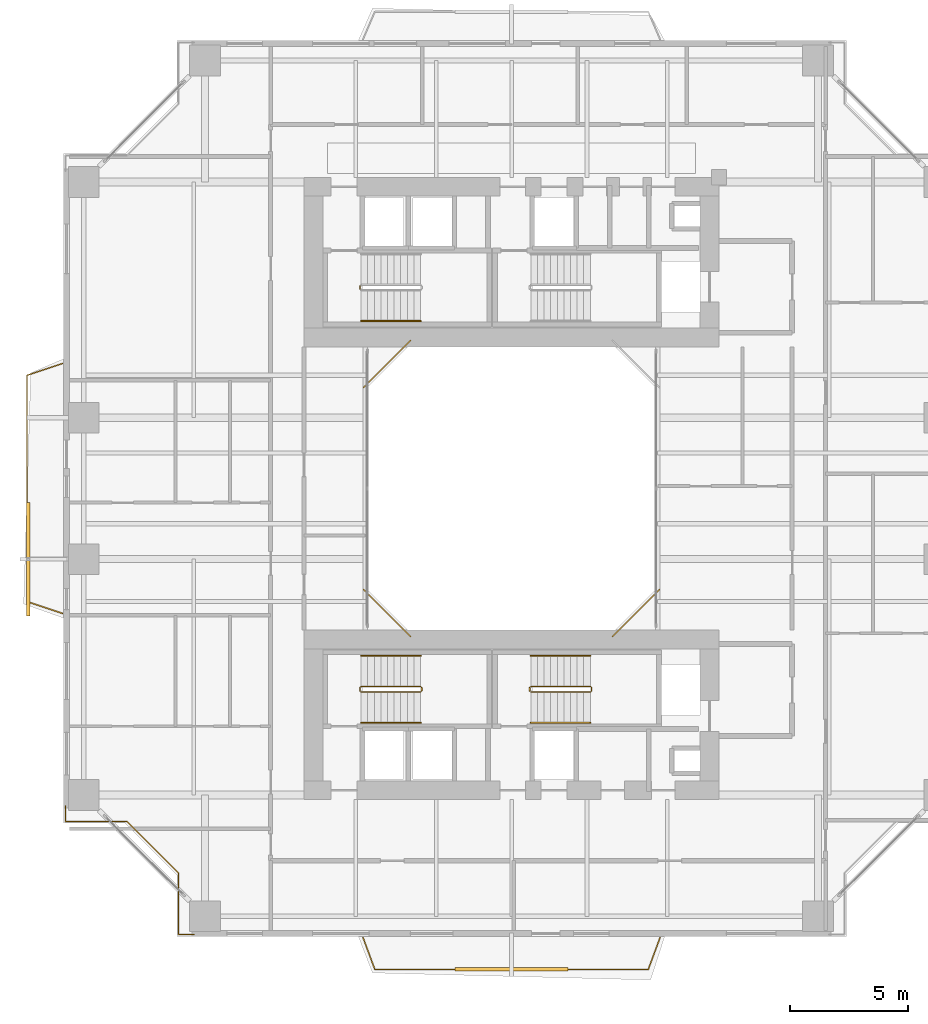
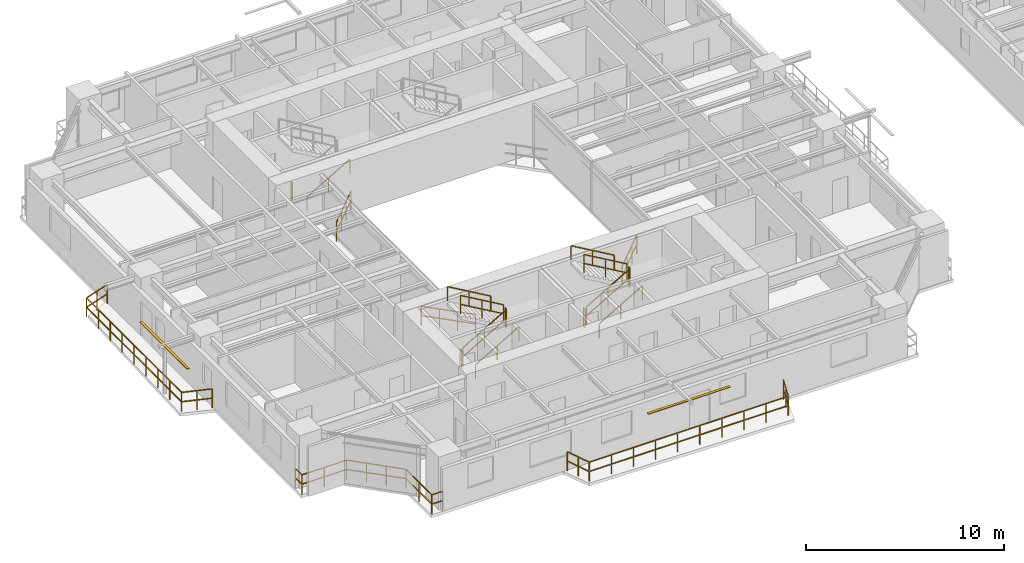
# One storey, part 19 of 24: 20 railings, 2 shading devices.
"""IFC4 building model written with IfcOpenShell, lengths in metres."""

from ifc_helpers import new_model, si_unit, direction, frame, origin, origin_2d, place, context, subcontext, project, spatial, rectangle, extrude, source, transform, mapped, material, material_profile, profile_set, type_object, element, save


model = new_model("IFC4")

# Units and contexts
model_context = context("Model", 3, precision=1e-05, world=origin(), true_north=direction((0.0, 1.0)))
body_context = subcontext(model_context, "Body", "Model", "MODEL_VIEW")
ifc_project = project(units=[si_unit("LENGTHUNIT", "METRE"), si_unit("AREAUNIT", "SQUARE_METRE"), si_unit("VOLUMEUNIT", "CUBIC_METRE"), si_unit("PLANEANGLEUNIT", "RADIAN"), si_unit("MASSUNIT", "GRAM", prefix="KILO"), si_unit("THERMODYNAMICTEMPERATUREUNIT", "KELVIN"), si_unit("POWERUNIT", "WATT")], contexts=[model_context])

# Site, building, storey
site_placement = place(None, origin())
site = spatial("IfcSite", under=ifc_project, at=site_placement, CompositionType="ELEMENT")
building_placement = place(site_placement, origin())
building = spatial("IfcBuilding", under=site, at=building_placement, Name="Qiaomeng Ring Towers", CompositionType="ELEMENT")
storey_placement = place(building_placement, frame((0.0, 0.0, 69.75)))
storey = spatial("IfcBuildingStorey", under=building, at=storey_placement, Name="L19", CompositionType="ELEMENT", Elevation=69.75)

# Railings
ifc_material_1 = material(Name="Low-E pale-green laminated safety glass", Category="glass")
railing_type_1 = type_object("IfcRailingType", Name="ARC-RL-BAL1", PredefinedType="BALUSTRADE", material=ifc_material_1)
railing_1_placement = place(storey_placement, frame((23.280029296875, 16.719970703125, 0.0)))
element("IfcRailing", 1, at=railing_1_placement, inside=storey, type_object=railing_type_1, Name="L19 Balustrade ARC-BAL-WELL1-L19-1", PredefinedType="BALUSTRADE", context=body_context, shape_type="SweptSolid", body=[
    extrude(rectangle(XDim=0.048095703125, YDim=0.048095703125, at=origin_2d()), frame((0.0, 0.0, 1.17578125), z_axis=(0.707106781187, 0.707106781187, 0.0), x_axis=(-0.707106781187, 0.707106781187, 0.0)), (0.0, 0.0, 1.0), 2.828369140625),
    extrude(rectangle(XDim=0.048095703125, YDim=0.048095703125, at=origin_2d()), frame((0.0, 0.0, 0.60009765625), z_axis=(0.707106781187, 0.707106781187, 0.0), x_axis=(-0.707106781187, 0.707106781187, 0.0)), (0.0, 0.0, 1.0), 2.828369140625),
    extrude(rectangle(XDim=0.0419921875, YDim=0.0419921875, at=origin_2d()), origin(), (0.0, 0.0, 1.0), 1.15185546875),
    extrude(rectangle(XDim=0.0419921875, YDim=0.0419921875, at=origin_2d()), frame((0.666748046875, 0.666748046875, 0.0)), (0.0, 0.0, 1.0), 1.15185546875),
    extrude(rectangle(XDim=0.0419921875, YDim=0.0419921875, at=origin_2d()), frame((1.333251953125, 1.333251953125, 0.0)), (0.0, 0.0, 1.0), 1.15185546875),
    extrude(rectangle(XDim=0.0419921875, YDim=0.0419921875, at=origin_2d()), frame((2.0, 2.0, 0.0)), (0.0, 0.0, 1.0), 1.15185546875),
])
railing_2_placement = place(storey_placement, frame((14.719970703125, 29.280029296875, 0.0)))
element("IfcRailing", 2, at=railing_2_placement, inside=storey, type_object=railing_type_1, Name="L19 Balustrade ARC-BAL-WELL1-L19-3", PredefinedType="BALUSTRADE", context=body_context, shape_type="SweptSolid", body=[
    extrude(rectangle(XDim=0.048095703125, YDim=0.048095703125, at=origin_2d()), frame((0.0, 0.0, 1.17578125), z_axis=(-0.707106781187, -0.707106781187, 0.0), x_axis=(0.707106781187, -0.707106781187, 0.0)), (0.0, 0.0, 1.0), 2.828369140625),
    extrude(rectangle(XDim=0.048095703125, YDim=0.048095703125, at=origin_2d()), frame((0.0, 0.0, 0.60009765625), z_axis=(-0.707106781187, -0.707106781187, 0.0), x_axis=(0.707106781187, -0.707106781187, 0.0)), (0.0, 0.0, 1.0), 2.828369140625),
    extrude(rectangle(XDim=0.0419921875, YDim=0.0419921875, at=origin_2d()), origin(), (0.0, 0.0, 1.0), 1.15185546875),
    extrude(rectangle(XDim=0.0419921875, YDim=0.0419921875, at=origin_2d()), frame((-0.666748046875, -0.666748046875, 0.0)), (0.0, 0.0, 1.0), 1.15185546875),
    extrude(rectangle(XDim=0.0419921875, YDim=0.0419921875, at=origin_2d()), frame((-1.333251953125, -1.333251953125, 0.0)), (0.0, 0.0, 1.0), 1.15185546875),
    extrude(rectangle(XDim=0.0419921875, YDim=0.0419921875, at=origin_2d()), frame((-2.0, -2.0, 0.0)), (0.0, 0.0, 1.0), 1.15185546875),
])
railing_3_placement = place(storey_placement, frame((12.719970703125, 18.719970703125, 0.0)))
element("IfcRailing", 3, at=railing_3_placement, inside=storey, type_object=railing_type_1, Name="L19 Balustrade ARC-BAL-WELL1-L19-4", PredefinedType="BALUSTRADE", context=body_context, shape_type="SweptSolid", body=[
    extrude(rectangle(XDim=0.048095703125, YDim=0.048095703125, at=origin_2d()), frame((0.0, 0.0, 1.17578125), z_axis=(0.707106781187, -0.707106781187, 0.0), x_axis=(0.707106781187, 0.707106781187, 0.0)), (0.0, 0.0, 1.0), 2.828369140625),
    extrude(rectangle(XDim=0.048095703125, YDim=0.048095703125, at=origin_2d()), frame((0.0, 0.0, 0.60009765625), z_axis=(0.707106781187, -0.707106781187, 0.0), x_axis=(0.707106781187, 0.707106781187, 0.0)), (0.0, 0.0, 1.0), 2.828369140625),
    extrude(rectangle(XDim=0.0419921875, YDim=0.0419921875, at=origin_2d()), origin(), (0.0, 0.0, 1.0), 1.15185546875),
    extrude(rectangle(XDim=0.0419921875, YDim=0.0419921875, at=origin_2d()), frame((0.666748046875, -0.666748046875, 0.0)), (0.0, 0.0, 1.0), 1.15185546875),
    extrude(rectangle(XDim=0.0419921875, YDim=0.0419921875, at=origin_2d()), frame((1.333251953125, -1.333251953125, 0.0)), (0.0, 0.0, 1.0), 1.15185546875),
    extrude(rectangle(XDim=0.0419921875, YDim=0.0419921875, at=origin_2d()), frame((2.0, -2.0, 0.0)), (0.0, 0.0, 1.0), 1.15185546875),
])
railing_4_placement = place(storey_placement, frame((0.080078125, 9.530029296875, 0.0)))
element("IfcRailing", 4, at=railing_4_placement, inside=storey, type_object=railing_type_1, Name="L19 Balustrade ARC-BAL-NOTCH1-L19-SW", PredefinedType="BALUSTRADE", context=body_context, shape_type="SweptSolid", body=[
    extrude(rectangle(XDim=0.048095703125, YDim=0.048095703125, at=origin_2d()), frame((0.0, 0.0, 1.17578125), z_axis=(0.0, -1.0, 0.0), x_axis=(1.0, 0.0, 0.0)), (0.0, 0.0, 1.0), 0.650146484375),
    extrude(rectangle(XDim=0.048095703125, YDim=0.048095703125, at=origin_2d()), frame((0.0, 0.0, 0.60009765625), z_axis=(0.0, -1.0, 0.0), x_axis=(1.0, 0.0, 0.0)), (0.0, 0.0, 1.0), 0.650146484375),
    extrude(rectangle(XDim=0.048095703125, YDim=0.048095703125, at=origin_2d()), frame((0.0, -0.650146484375, 1.17578125), z_axis=(1.0, 0.0, 0.0), x_axis=(0.0, 1.0, 0.0)), (0.0, 0.0, 1.0), 2.599853515625),
    extrude(rectangle(XDim=0.048095703125, YDim=0.048095703125, at=origin_2d()), frame((0.0, -0.650146484375, 0.60009765625), z_axis=(1.0, 0.0, 0.0), x_axis=(0.0, 1.0, 0.0)), (0.0, 0.0, 1.0), 2.599853515625),
    extrude(rectangle(XDim=0.048095703125, YDim=0.048095703125, at=origin_2d()), frame((2.599853515625, -0.650146484375, 1.17578125), z_axis=(0.707106781187, -0.707106781187, 0.0), x_axis=(0.707106781187, 0.707106781187, 0.0)), (0.0, 0.0, 1.0), 3.111083984375),
    extrude(rectangle(XDim=0.048095703125, YDim=0.048095703125, at=origin_2d()), frame((2.599853515625, -0.650146484375, 0.60009765625), z_axis=(0.707106781187, -0.707106781187, 0.0), x_axis=(0.707106781187, 0.707106781187, 0.0)), (0.0, 0.0, 1.0), 3.111083984375),
    extrude(rectangle(XDim=0.048095703125, YDim=0.048095703125, at=origin_2d()), frame((4.7998046875, -2.85009765625, 1.17578125), z_axis=(0.0, -1.0, 0.0), x_axis=(1.0, 0.0, 0.0)), (0.0, 0.0, 1.0), 2.599853515625),
    extrude(rectangle(XDim=0.048095703125, YDim=0.048095703125, at=origin_2d()), frame((4.7998046875, -2.85009765625, 0.60009765625), z_axis=(0.0, -1.0, 0.0), x_axis=(1.0, 0.0, 0.0)), (0.0, 0.0, 1.0), 2.599853515625),
    extrude(rectangle(XDim=0.048095703125, YDim=0.048095703125, at=origin_2d()), frame((4.7998046875, -5.449951171875, 1.17578125), z_axis=(1.0, 0.0, 0.0), x_axis=(0.0, 1.0, 0.0)), (0.0, 0.0, 1.0), 0.650146484375),
    extrude(rectangle(XDim=0.048095703125, YDim=0.048095703125, at=origin_2d()), frame((4.7998046875, -5.449951171875, 0.60009765625), z_axis=(1.0, 0.0, 0.0), x_axis=(0.0, 1.0, 0.0)), (0.0, 0.0, 1.0), 0.650146484375),
    extrude(rectangle(XDim=0.0419921875, YDim=0.0419921875, at=origin_2d()), origin(), (0.0, 0.0, 1.0), 1.15185546875),
    extrude(rectangle(XDim=0.0419921875, YDim=0.0419921875, at=origin_2d()), frame((0.0, -0.650146484375, 0.0)), (0.0, 0.0, 1.0), 1.15185546875),
    extrude(rectangle(XDim=0.0419921875, YDim=0.0419921875, at=origin_2d()), frame((1.2998046875, -0.650146484375, 0.0)), (0.0, 0.0, 1.0), 1.15185546875),
    extrude(rectangle(XDim=0.0419921875, YDim=0.0419921875, at=origin_2d()), frame((2.599853515625, -0.650146484375, 0.0)), (0.0, 0.0, 1.0), 1.15185546875),
    extrude(rectangle(XDim=0.0419921875, YDim=0.0419921875, at=origin_2d()), frame((3.333251953125, -1.383544921875, 0.0)), (0.0, 0.0, 1.0), 1.15185546875),
    extrude(rectangle(XDim=0.0419921875, YDim=0.0419921875, at=origin_2d()), frame((4.06640625, -2.11669921875, 0.0)), (0.0, 0.0, 1.0), 1.15185546875),
    extrude(rectangle(XDim=0.0419921875, YDim=0.0419921875, at=origin_2d()), frame((4.7998046875, -2.85009765625, 0.0)), (0.0, 0.0, 1.0), 1.15185546875),
    extrude(rectangle(XDim=0.0419921875, YDim=0.0419921875, at=origin_2d()), frame((4.7998046875, -4.14990234375, 0.0)), (0.0, 0.0, 1.0), 1.15185546875),
    extrude(rectangle(XDim=0.0419921875, YDim=0.0419921875, at=origin_2d()), frame((4.7998046875, -5.449951171875, 0.0)), (0.0, 0.0, 1.0), 1.15185546875),
    extrude(rectangle(XDim=0.0419921875, YDim=0.0419921875, at=origin_2d()), frame((5.449951171875, -5.449951171875, 0.0)), (0.0, 0.0, 1.0), 1.15185546875),
])
railing_5_placement = place(storey_placement, frame((12.699951171875, 3.949951171875, 0.0)))
element("IfcRailing", 5, at=railing_5_placement, inside=storey, type_object=railing_type_1, Name="L19 Balustrade ARC-BAL-L19-T1-S", PredefinedType="BALUSTRADE", context=body_context, shape_type="SweptSolid", body=[
    extrude(rectangle(XDim=0.048095703125, YDim=0.048095703125, at=origin_2d()), frame((0.0, 0.0, 1.17578125), z_axis=(0.347347498827, -0.937736484871, 0.0), x_axis=(0.937736484871, 0.347347498827, 0.0)), (0.0, 0.0, 1.0), 1.439453125),
    extrude(rectangle(XDim=0.048095703125, YDim=0.048095703125, at=origin_2d()), frame((0.0, 0.0, 0.60009765625), z_axis=(0.347347498827, -0.937736484871, 0.0), x_axis=(0.937736484871, 0.347347498827, 0.0)), (0.0, 0.0, 1.0), 1.439453125),
    extrude(rectangle(XDim=0.048095703125, YDim=0.048095703125, at=origin_2d()), frame((0.5, -1.349853515625, 1.17578125), z_axis=(1.0, 0.0, 0.0), x_axis=(0.0, 1.0, 0.0)), (0.0, 0.0, 1.0), 11.60009765625),
    extrude(rectangle(XDim=0.048095703125, YDim=0.048095703125, at=origin_2d()), frame((0.5, -1.349853515625, 0.60009765625), z_axis=(1.0, 0.0, 0.0), x_axis=(0.0, 1.0, 0.0)), (0.0, 0.0, 1.0), 11.60009765625),
    extrude(rectangle(XDim=0.048095703125, YDim=0.048095703125, at=origin_2d()), frame((12.10009765625, -1.349853515625, 1.17578125), z_axis=(0.347347498827, 0.937736484871, 0.0), x_axis=(-0.937736484871, 0.347347498827, 0.0)), (0.0, 0.0, 1.0), 1.439453125),
    extrude(rectangle(XDim=0.048095703125, YDim=0.048095703125, at=origin_2d()), frame((12.10009765625, -1.349853515625, 0.60009765625), z_axis=(0.347347498827, 0.937736484871, 0.0), x_axis=(-0.937736484871, 0.347347498827, 0.0)), (0.0, 0.0, 1.0), 1.439453125),
    extrude(rectangle(XDim=0.0419921875, YDim=0.0419921875, at=origin_2d()), origin(), (0.0, 0.0, 1.0), 1.15185546875),
    extrude(rectangle(XDim=0.0419921875, YDim=0.0419921875, at=origin_2d()), frame((0.25, -0.6748046875, 0.0)), (0.0, 0.0, 1.0), 1.15185546875),
    extrude(rectangle(XDim=0.0419921875, YDim=0.0419921875, at=origin_2d()), frame((0.5, -1.349853515625, 0.0)), (0.0, 0.0, 1.0), 1.15185546875),
    extrude(rectangle(XDim=0.0419921875, YDim=0.0419921875, at=origin_2d()), frame((1.788818359375, -1.349853515625, 0.0)), (0.0, 0.0, 1.0), 1.15185546875),
    extrude(rectangle(XDim=0.0419921875, YDim=0.0419921875, at=origin_2d()), frame((3.077880859375, -1.349853515625, 0.0)), (0.0, 0.0, 1.0), 1.15185546875),
    extrude(rectangle(XDim=0.0419921875, YDim=0.0419921875, at=origin_2d()), frame((4.36669921875, -1.349853515625, 0.0)), (0.0, 0.0, 1.0), 1.15185546875),
    extrude(rectangle(XDim=0.0419921875, YDim=0.0419921875, at=origin_2d()), frame((5.655517578125, -1.349853515625, 0.0)), (0.0, 0.0, 1.0), 1.15185546875),
    extrude(rectangle(XDim=0.0419921875, YDim=0.0419921875, at=origin_2d()), frame((6.944580078125, -1.349853515625, 0.0)), (0.0, 0.0, 1.0), 1.15185546875),
    extrude(rectangle(XDim=0.0419921875, YDim=0.0419921875, at=origin_2d()), frame((8.2333984375, -1.349853515625, 0.0)), (0.0, 0.0, 1.0), 1.15185546875),
    extrude(rectangle(XDim=0.0419921875, YDim=0.0419921875, at=origin_2d()), frame((9.522216796875, -1.349853515625, 0.0)), (0.0, 0.0, 1.0), 1.15185546875),
    extrude(rectangle(XDim=0.0419921875, YDim=0.0419921875, at=origin_2d()), frame((10.811279296875, -1.349853515625, 0.0)), (0.0, 0.0, 1.0), 1.15185546875),
    extrude(rectangle(XDim=0.0419921875, YDim=0.0419921875, at=origin_2d()), frame((12.10009765625, -1.349853515625, 0.0)), (0.0, 0.0, 1.0), 1.15185546875),
    extrude(rectangle(XDim=0.0419921875, YDim=0.0419921875, at=origin_2d()), frame((12.35009765625, -0.6748046875, 0.0)), (0.0, 0.0, 1.0), 1.15185546875),
    extrude(rectangle(XDim=0.0419921875, YDim=0.0419921875, at=origin_2d()), frame((12.60009765625, 0.0, 0.0)), (0.0, 0.0, 1.0), 1.15185546875),
])
railing_6_placement = place(storey_placement, frame((-0.050048828125, 17.699951171875, 0.0)))
element("IfcRailing", 6, at=railing_6_placement, inside=storey, type_object=railing_type_1, Name="L19 Balustrade ARC-BAL-L19-T1-W", PredefinedType="BALUSTRADE", context=body_context, shape_type="SweptSolid", body=[
    extrude(rectangle(XDim=0.048095703125, YDim=0.048095703125, at=origin_2d()), frame((0.0, 0.0, 1.17578125), z_axis=(-0.948683298051, 0.316227766017, 0.0), x_axis=(-0.316227766017, -0.948683298051, 0.0)), (0.0, 0.0, 1.0), 1.5810546875),
    extrude(rectangle(XDim=0.048095703125, YDim=0.048095703125, at=origin_2d()), frame((0.0, 0.0, 0.60009765625), z_axis=(-0.948683298051, 0.316227766017, 0.0), x_axis=(-0.316227766017, -0.948683298051, 0.0)), (0.0, 0.0, 1.0), 1.5810546875),
    extrude(rectangle(XDim=0.048095703125, YDim=0.048095703125, at=origin_2d()), frame((-1.5, 0.5, 1.17578125), z_axis=(0.0, 1.0, 0.0), x_axis=(-1.0, 0.0, 0.0)), (0.0, 0.0, 1.0), 9.60009765625),
    extrude(rectangle(XDim=0.048095703125, YDim=0.048095703125, at=origin_2d()), frame((-1.5, 0.5, 0.60009765625), z_axis=(0.0, 1.0, 0.0), x_axis=(-1.0, 0.0, 0.0)), (0.0, 0.0, 1.0), 9.60009765625),
    extrude(rectangle(XDim=0.048095703125, YDim=0.048095703125, at=origin_2d()), frame((-1.5, 10.10009765625, 1.17578125), z_axis=(0.948683298051, 0.316227766017, 0.0), x_axis=(-0.316227766017, 0.948683298051, 0.0)), (0.0, 0.0, 1.0), 1.5810546875),
    extrude(rectangle(XDim=0.048095703125, YDim=0.048095703125, at=origin_2d()), frame((-1.5, 10.10009765625, 0.60009765625), z_axis=(0.948683298051, 0.316227766017, 0.0), x_axis=(-0.316227766017, 0.948683298051, 0.0)), (0.0, 0.0, 1.0), 1.5810546875),
    extrude(rectangle(XDim=0.0419921875, YDim=0.0419921875, at=origin_2d()), origin(), (0.0, 0.0, 1.0), 1.15185546875),
    extrude(rectangle(XDim=0.0419921875, YDim=0.0419921875, at=origin_2d()), frame((-0.75, 0.25, 0.0)), (0.0, 0.0, 1.0), 1.15185546875),
    extrude(rectangle(XDim=0.0419921875, YDim=0.0419921875, at=origin_2d()), frame((-1.5, 0.5, 0.0)), (0.0, 0.0, 1.0), 1.15185546875),
    extrude(rectangle(XDim=0.0419921875, YDim=0.0419921875, at=origin_2d()), frame((-1.5, 1.699951171875, 0.0)), (0.0, 0.0, 1.0), 1.15185546875),
    extrude(rectangle(XDim=0.0419921875, YDim=0.0419921875, at=origin_2d()), frame((-1.5, 2.89990234375, 0.0)), (0.0, 0.0, 1.0), 1.15185546875),
    extrude(rectangle(XDim=0.0419921875, YDim=0.0419921875, at=origin_2d()), frame((-1.5, 4.10009765625, 0.0)), (0.0, 0.0, 1.0), 1.15185546875),
    extrude(rectangle(XDim=0.0419921875, YDim=0.0419921875, at=origin_2d()), frame((-1.5, 5.300048828125, 0.0)), (0.0, 0.0, 1.0), 1.15185546875),
    extrude(rectangle(XDim=0.0419921875, YDim=0.0419921875, at=origin_2d()), frame((-1.5, 6.5, 0.0)), (0.0, 0.0, 1.0), 1.15185546875),
    extrude(rectangle(XDim=0.0419921875, YDim=0.0419921875, at=origin_2d()), frame((-1.5, 7.7001953125, 0.0)), (0.0, 0.0, 1.0), 1.15185546875),
    extrude(rectangle(XDim=0.0419921875, YDim=0.0419921875, at=origin_2d()), frame((-1.5, 8.900146484375, 0.0)), (0.0, 0.0, 1.0), 1.15185546875),
    extrude(rectangle(XDim=0.0419921875, YDim=0.0419921875, at=origin_2d()), frame((-1.5, 10.10009765625, 0.0)), (0.0, 0.0, 1.0), 1.15185546875),
    extrude(rectangle(XDim=0.0419921875, YDim=0.0419921875, at=origin_2d()), frame((-0.75, 10.35009765625, 0.0)), (0.0, 0.0, 1.0), 1.15185546875),
    extrude(rectangle(XDim=0.0419921875, YDim=0.0419921875, at=origin_2d()), frame((0.0, 10.60009765625, 0.0)), (0.0, 0.0, 1.0), 1.15185546875),
])
ifc_material_2 = material(Name="Galvanised steel", Category="steel")
railing_type_2 = type_object("IfcRailingType", Name="ARC-RL-GUARD", PredefinedType="GUARDRAIL", material=ifc_material_2)
railing_7_placement = place(storey_placement, frame((12.570068359375, 31.449951171875, 0.0)))
element("IfcRailing", 7, at=railing_7_placement, inside=storey, type_object=railing_type_2, Name="L19 ST1 stair guard 4", PredefinedType="GUARDRAIL", context=body_context, shape_type="SweptSolid", body=[
    extrude(rectangle(XDim=0.048095703125, YDim=0.048095703125, at=origin_2d()), frame((0.0, 0.0, 1.1259765625), z_axis=(0.0, 1.0, 0.0), x_axis=(-1.0, 0.0, 0.0)), (0.0, 0.0, 1.0), 0.14013671875),
    extrude(rectangle(XDim=0.048095703125, YDim=0.048095703125, at=origin_2d()), frame((0.0, 0.0, 0.574951171875), z_axis=(0.0, 1.0, 0.0), x_axis=(-1.0, 0.0, 0.0)), (0.0, 0.0, 1.0), 0.14013671875),
    extrude(rectangle(XDim=0.0419921875, YDim=0.0419921875, at=origin_2d()), origin(), (0.0, 0.0, 1.0), 1.101806640625),
    extrude(rectangle(XDim=0.0419921875, YDim=0.0419921875, at=origin_2d()), frame((0.0, 0.14013671875, 0.0)), (0.0, 0.0, 1.0), 1.101806640625),
])
railing_8_placement = place(storey_placement, frame((12.6201171875, 14.360107421875, 0.16259765625)))
element("IfcRailing", 8, at=railing_8_placement, inside=storey, type_object=railing_type_2, Name="L19 ST3 stair guard 1", PredefinedType="GUARDRAIL", context=body_context, shape_type="SweptSolid", body=[
    extrude(rectangle(XDim=0.048095703125, YDim=0.048095703125, at=origin_2d()), frame((0.0, 0.0, 1.1259765625), z_axis=(0.864892226395, 0.0, 0.501957604506), x_axis=(0.0, 1.0, 0.0)), (0.0, 0.0, 1.0), 2.913330078125),
    extrude(rectangle(XDim=0.048095703125, YDim=0.048095703125, at=origin_2d()), frame((0.0, 0.0, 0.574951171875), z_axis=(0.864892226395, 0.0, 0.501957604506), x_axis=(0.0, 1.0, 0.0)), (0.0, 0.0, 1.0), 2.913330078125),
    extrude(rectangle(XDim=0.0419921875, YDim=0.0419921875, at=origin_2d()), origin(), (0.0, 0.0, 1.0), 1.101806640625),
    extrude(rectangle(XDim=0.0419921875, YDim=0.0419921875, at=origin_2d()), frame((1.259765625, 0.0, 0.731201171875)), (0.0, 0.0, 1.0), 1.101806640625),
    extrude(rectangle(XDim=0.0419921875, YDim=0.0419921875, at=origin_2d()), frame((2.519775390625, 0.0, 1.46240234375)), (0.0, 0.0, 1.0), 1.101806640625),
])
railing_9_placement = place(storey_placement, frame((15.18994140625, 14.409912109375, 1.625)))
element("IfcRailing", 9, at=railing_9_placement, inside=storey, type_object=railing_type_2, Name="L19 ST3 stair guard 2", PredefinedType="GUARDRAIL", context=body_context, shape_type="SweptSolid", body=[
    extrude(rectangle(XDim=0.048095703125, YDim=0.048095703125, at=origin_2d()), frame((0.0, 0.0, 1.1259765625), z_axis=(0.0, 1.0, 0.0), x_axis=(-1.0, 0.0, 0.0)), (0.0, 0.0, 1.0), 0.14013671875),
    extrude(rectangle(XDim=0.048095703125, YDim=0.048095703125, at=origin_2d()), frame((0.0, 0.0, 0.574951171875), z_axis=(0.0, 1.0, 0.0), x_axis=(-1.0, 0.0, 0.0)), (0.0, 0.0, 1.0), 0.14013671875),
    extrude(rectangle(XDim=0.0419921875, YDim=0.0419921875, at=origin_2d()), origin(), (0.0, 0.0, 1.0), 1.101806640625),
    extrude(rectangle(XDim=0.0419921875, YDim=0.0419921875, at=origin_2d()), frame((0.0, 0.14013671875, 0.0)), (0.0, 0.0, 1.0), 1.101806640625),
])
railing_10_placement = place(storey_placement, frame((15.139892578125, 14.60009765625, 1.78759765625)))
element("IfcRailing", 10, at=railing_10_placement, inside=storey, type_object=railing_type_2, Name="L19 ST3 stair guard 3", PredefinedType="GUARDRAIL", context=body_context, shape_type="SweptSolid", body=[
    extrude(rectangle(XDim=0.048095703125, YDim=0.048095703125, at=origin_2d()), frame((0.0, 0.0, 1.1259765625), z_axis=(-0.864892226395, 0.0, 0.501957604506), x_axis=(0.0, -1.0, 0.0)), (0.0, 0.0, 1.0), 2.913330078125),
    extrude(rectangle(XDim=0.048095703125, YDim=0.048095703125, at=origin_2d()), frame((0.0, 0.0, 0.574951171875), z_axis=(-0.864892226395, 0.0, 0.501957604506), x_axis=(0.0, -1.0, 0.0)), (0.0, 0.0, 1.0), 2.913330078125),
    extrude(rectangle(XDim=0.0419921875, YDim=0.0419921875, at=origin_2d()), origin(), (0.0, 0.0, 1.0), 1.101806640625),
    extrude(rectangle(XDim=0.0419921875, YDim=0.0419921875, at=origin_2d()), frame((-1.259765625, 0.0, 0.731201171875)), (0.0, 0.0, 1.0), 1.101806640625),
    extrude(rectangle(XDim=0.0419921875, YDim=0.0419921875, at=origin_2d()), frame((-2.519775390625, 0.0, 1.46240234375)), (0.0, 0.0, 1.0), 1.101806640625),
])
railing_11_placement = place(storey_placement, frame((12.570068359375, 14.409912109375, 0.0)))
element("IfcRailing", 11, at=railing_11_placement, inside=storey, type_object=railing_type_2, Name="L19 ST3 stair guard 4", PredefinedType="GUARDRAIL", context=body_context, shape_type="SweptSolid", body=[
    extrude(rectangle(XDim=0.048095703125, YDim=0.048095703125, at=origin_2d()), frame((0.0, 0.0, 1.1259765625), z_axis=(0.0, 1.0, 0.0), x_axis=(-1.0, 0.0, 0.0)), (0.0, 0.0, 1.0), 0.14013671875),
    extrude(rectangle(XDim=0.048095703125, YDim=0.048095703125, at=origin_2d()), frame((0.0, 0.0, 0.574951171875), z_axis=(0.0, 1.0, 0.0), x_axis=(-1.0, 0.0, 0.0)), (0.0, 0.0, 1.0), 0.14013671875),
    extrude(rectangle(XDim=0.0419921875, YDim=0.0419921875, at=origin_2d()), origin(), (0.0, 0.0, 1.0), 1.101806640625),
    extrude(rectangle(XDim=0.0419921875, YDim=0.0419921875, at=origin_2d()), frame((0.0, 0.14013671875, 0.0)), (0.0, 0.0, 1.0), 1.101806640625),
])
railing_12_placement = place(storey_placement, frame((19.820068359375, 14.360107421875, 0.16259765625)))
element("IfcRailing", 12, at=railing_12_placement, inside=storey, type_object=railing_type_2, Name="L19 ST4 stair guard 1", PredefinedType="GUARDRAIL", context=body_context, shape_type="SweptSolid", body=[
    extrude(rectangle(XDim=0.048095703125, YDim=0.048095703125, at=origin_2d()), frame((0.0, 0.0, 1.1259765625), z_axis=(0.864913338283, 0.0, 0.50192122615), x_axis=(0.0, 1.0, 0.0)), (0.0, 0.0, 1.0), 2.91357421875),
    extrude(rectangle(XDim=0.048095703125, YDim=0.048095703125, at=origin_2d()), frame((0.0, 0.0, 0.574951171875), z_axis=(0.864913338283, 0.0, 0.50192122615), x_axis=(0.0, 1.0, 0.0)), (0.0, 0.0, 1.0), 2.91357421875),
    extrude(rectangle(XDim=0.0419921875, YDim=0.0419921875, at=origin_2d()), origin(), (0.0, 0.0, 1.0), 1.101806640625),
    extrude(rectangle(XDim=0.0419921875, YDim=0.0419921875, at=origin_2d()), frame((1.260009765625, 0.0, 0.731201171875)), (0.0, 0.0, 1.0), 1.101806640625),
    extrude(rectangle(XDim=0.0419921875, YDim=0.0419921875, at=origin_2d()), frame((2.52001953125, 0.0, 1.46240234375)), (0.0, 0.0, 1.0), 1.101806640625),
])
railing_13_placement = place(storey_placement, frame((22.389892578125, 14.409912109375, 1.625)))
element("IfcRailing", 13, at=railing_13_placement, inside=storey, type_object=railing_type_2, Name="L19 ST4 stair guard 2", PredefinedType="GUARDRAIL", context=body_context, shape_type="SweptSolid", body=[
    extrude(rectangle(XDim=0.048095703125, YDim=0.048095703125, at=origin_2d()), frame((0.0, 0.0, 1.1259765625), z_axis=(0.0, 1.0, 0.0), x_axis=(-1.0, 0.0, 0.0)), (0.0, 0.0, 1.0), 0.14013671875),
    extrude(rectangle(XDim=0.048095703125, YDim=0.048095703125, at=origin_2d()), frame((0.0, 0.0, 0.574951171875), z_axis=(0.0, 1.0, 0.0), x_axis=(-1.0, 0.0, 0.0)), (0.0, 0.0, 1.0), 0.14013671875),
    extrude(rectangle(XDim=0.0419921875, YDim=0.0419921875, at=origin_2d()), origin(), (0.0, 0.0, 1.0), 1.101806640625),
    extrude(rectangle(XDim=0.0419921875, YDim=0.0419921875, at=origin_2d()), frame((0.0, 0.14013671875, 0.0)), (0.0, 0.0, 1.0), 1.101806640625),
])
railing_14_placement = place(storey_placement, frame((22.340087890625, 14.60009765625, 1.78759765625)))
element("IfcRailing", 14, at=railing_14_placement, inside=storey, type_object=railing_type_2, Name="L19 ST4 stair guard 3", PredefinedType="GUARDRAIL", context=body_context, shape_type="SweptSolid", body=[
    extrude(rectangle(XDim=0.048095703125, YDim=0.048095703125, at=origin_2d()), frame((0.0, 0.0, 1.1259765625), z_axis=(-0.864913338283, 0.0, 0.50192122615), x_axis=(0.0, -1.0, 0.0)), (0.0, 0.0, 1.0), 2.91357421875),
    extrude(rectangle(XDim=0.048095703125, YDim=0.048095703125, at=origin_2d()), frame((0.0, 0.0, 0.574951171875), z_axis=(-0.864913338283, 0.0, 0.50192122615), x_axis=(0.0, -1.0, 0.0)), (0.0, 0.0, 1.0), 2.91357421875),
    extrude(rectangle(XDim=0.0419921875, YDim=0.0419921875, at=origin_2d()), origin(), (0.0, 0.0, 1.0), 1.101806640625),
    extrude(rectangle(XDim=0.0419921875, YDim=0.0419921875, at=origin_2d()), frame((-1.260009765625, 0.0, 0.731201171875)), (0.0, 0.0, 1.0), 1.101806640625),
    extrude(rectangle(XDim=0.0419921875, YDim=0.0419921875, at=origin_2d()), frame((-2.52001953125, 0.0, 1.46240234375)), (0.0, 0.0, 1.0), 1.101806640625),
])
railing_15_placement = place(storey_placement, frame((19.77001953125, 14.409912109375, 0.0)))
element("IfcRailing", 15, at=railing_15_placement, inside=storey, type_object=railing_type_2, Name="L19 ST4 stair guard 4", PredefinedType="GUARDRAIL", context=body_context, shape_type="SweptSolid", body=[
    extrude(rectangle(XDim=0.048095703125, YDim=0.048095703125, at=origin_2d()), frame((0.0, 0.0, 1.1259765625), z_axis=(0.0, 1.0, 0.0), x_axis=(-1.0, 0.0, 0.0)), (0.0, 0.0, 1.0), 0.14013671875),
    extrude(rectangle(XDim=0.048095703125, YDim=0.048095703125, at=origin_2d()), frame((0.0, 0.0, 0.574951171875), z_axis=(0.0, 1.0, 0.0), x_axis=(-1.0, 0.0, 0.0)), (0.0, 0.0, 1.0), 0.14013671875),
    extrude(rectangle(XDim=0.0419921875, YDim=0.0419921875, at=origin_2d()), origin(), (0.0, 0.0, 1.0), 1.101806640625),
    extrude(rectangle(XDim=0.0419921875, YDim=0.0419921875, at=origin_2d()), frame((0.0, 0.14013671875, 0.0)), (0.0, 0.0, 1.0), 1.101806640625),
])
ifc_material_3 = material(Name="Stainless steel 316", Category="steel")
railing_type_3 = type_object("IfcRailingType", Name="ARC-RL-HAND", PredefinedType="HANDRAIL", material=ifc_material_3)
for number, where, name in (
    (16, (12.6201171875, 30.10009765625, 0.16259765625), "L19 ST1 stair handrail 1"),
    (17, (12.6201171875, 13.06005859375, 0.16259765625), "L19 ST3 stair handrail 1"),
):
    element("IfcRailing", number, at=place(storey_placement, frame(where)), inside=storey, type_object=railing_type_3, Name=name, PredefinedType="HANDRAIL", context=body_context, shape_type="SweptSolid", body=[
        extrude(rectangle(XDim=0.048095703125, YDim=0.048095703125, at=origin_2d()), frame((0.0, 0.0, 0.8759765625), z_axis=(0.864892226395, 0.0, 0.501957604506), x_axis=(0.0, 1.0, 0.0)), (0.0, 0.0, 1.0), 2.913330078125),
        extrude(rectangle(XDim=0.0419921875, YDim=0.0419921875, at=origin_2d()), origin(), (0.0, 0.0, 1.0), 0.851806640625),
        extrude(rectangle(XDim=0.0419921875, YDim=0.0419921875, at=origin_2d()), frame((1.259765625, 0.0, 0.731201171875)), (0.0, 0.0, 1.0), 0.851806640625),
        extrude(rectangle(XDim=0.0419921875, YDim=0.0419921875, at=origin_2d()), frame((2.519775390625, 0.0, 1.46240234375)), (0.0, 0.0, 1.0), 0.851806640625),
    ])
railing_16_placement = place(storey_placement, frame((15.139892578125, 15.89990234375, 1.78759765625)))
element("IfcRailing", 18, at=railing_16_placement, inside=storey, type_object=railing_type_3, Name="L19 ST3 stair handrail 2", PredefinedType="HANDRAIL", context=body_context, shape_type="SweptSolid", body=[
    extrude(rectangle(XDim=0.048095703125, YDim=0.048095703125, at=origin_2d()), frame((0.0, 0.0, 0.8759765625), z_axis=(-0.864892226395, 0.0, 0.501957604506), x_axis=(0.0, -1.0, 0.0)), (0.0, 0.0, 1.0), 2.913330078125),
    extrude(rectangle(XDim=0.0419921875, YDim=0.0419921875, at=origin_2d()), origin(), (0.0, 0.0, 1.0), 0.851806640625),
    extrude(rectangle(XDim=0.0419921875, YDim=0.0419921875, at=origin_2d()), frame((-1.259765625, 0.0, 0.731201171875)), (0.0, 0.0, 1.0), 0.851806640625),
    extrude(rectangle(XDim=0.0419921875, YDim=0.0419921875, at=origin_2d()), frame((-2.519775390625, 0.0, 1.46240234375)), (0.0, 0.0, 1.0), 0.851806640625),
])
railing_17_placement = place(storey_placement, frame((19.820068359375, 13.06005859375, 0.16259765625)))
element("IfcRailing", 19, at=railing_17_placement, inside=storey, type_object=railing_type_3, Name="L19 ST4 stair handrail 1", PredefinedType="HANDRAIL", context=body_context, shape_type="SweptSolid", body=[
    extrude(rectangle(XDim=0.048095703125, YDim=0.048095703125, at=origin_2d()), frame((0.0, 0.0, 0.8759765625), z_axis=(0.864913338283, 0.0, 0.50192122615), x_axis=(0.0, 1.0, 0.0)), (0.0, 0.0, 1.0), 2.91357421875),
    extrude(rectangle(XDim=0.0419921875, YDim=0.0419921875, at=origin_2d()), origin(), (0.0, 0.0, 1.0), 0.851806640625),
    extrude(rectangle(XDim=0.0419921875, YDim=0.0419921875, at=origin_2d()), frame((1.260009765625, 0.0, 0.731201171875)), (0.0, 0.0, 1.0), 0.851806640625),
    extrude(rectangle(XDim=0.0419921875, YDim=0.0419921875, at=origin_2d()), frame((2.52001953125, 0.0, 1.46240234375)), (0.0, 0.0, 1.0), 0.851806640625),
])
railing_18_placement = place(storey_placement, frame((22.340087890625, 15.89990234375, 1.78759765625)))
element("IfcRailing", 20, at=railing_18_placement, inside=storey, type_object=railing_type_3, Name="L19 ST4 stair handrail 2", PredefinedType="HANDRAIL", context=body_context, shape_type="SweptSolid", body=[
    extrude(rectangle(XDim=0.048095703125, YDim=0.048095703125, at=origin_2d()), frame((0.0, 0.0, 0.8759765625), z_axis=(-0.864913338283, 0.0, 0.50192122615), x_axis=(0.0, -1.0, 0.0)), (0.0, 0.0, 1.0), 2.91357421875),
    extrude(rectangle(XDim=0.0419921875, YDim=0.0419921875, at=origin_2d()), origin(), (0.0, 0.0, 1.0), 0.851806640625),
    extrude(rectangle(XDim=0.0419921875, YDim=0.0419921875, at=origin_2d()), frame((-1.260009765625, 0.0, 0.731201171875)), (0.0, 0.0, 1.0), 0.851806640625),
    extrude(rectangle(XDim=0.0419921875, YDim=0.0419921875, at=origin_2d()), frame((-2.52001953125, 0.0, 1.46240234375)), (0.0, 0.0, 1.0), 0.851806640625),
])

# Shading devices
ifc_material_4 = material(Name="Fluorocarbon dark-grey aluminium", Category="aluminium")
ifc_material_profile = material_profile(ifc_material_4, rectangle(XDim=0.14990234375, YDim=0.034912109375, at=origin_2d()), Name="LV BLADE 150x35")
ifc_profile_set = profile_set([ifc_material_profile], Name="Fluorocarbon dark-grey aluminium")
shading_device_type = type_object("IfcShadingDeviceType", Name="ARC-SHD-SUN", PredefinedType="AWNING", material=ifc_profile_set)
shared_shape = source(origin(), body_context, "Body", "SweptSolid", [
    extrude(rectangle(XDim=0.14990234375, YDim=0.034912109375, at=origin_2d()), origin(), (0.0, 0.0, 1.0), 4.7998046875),
])
for number, where, z_axis, x_axis, name in (
    (21, (16.60009765625, 2.60009765625, 2.969970703125), (1.0, 0.0, 0.0), (0.0, 1.0, 0.0), "L19 Ventilated Outer-Skin Sunshade S"),
    (22, (-1.5, 17.60009765625, 2.969970703125), (0.0, 1.0, 0.0), (-1.0, 0.0, 0.0), "L19 Ventilated Outer-Skin Sunshade W"),
):
    element("IfcShadingDevice", number, at=place(storey_placement, frame(where, z_axis=z_axis, x_axis=x_axis)), inside=storey, type_object=shading_device_type, Name=name, PredefinedType="AWNING", context=body_context, shape_type="MappedRepresentation", body=[
        mapped(shared_shape, transform((0.0, 0.0, 0.0), x_axis=(1.0, 0.0, 0.0), y_axis=(0.0, 1.0, 0.0), z_axis=(0.0, 0.0, 1.0), scale=1.0)),
    ])

save(model, "model.ifc")
